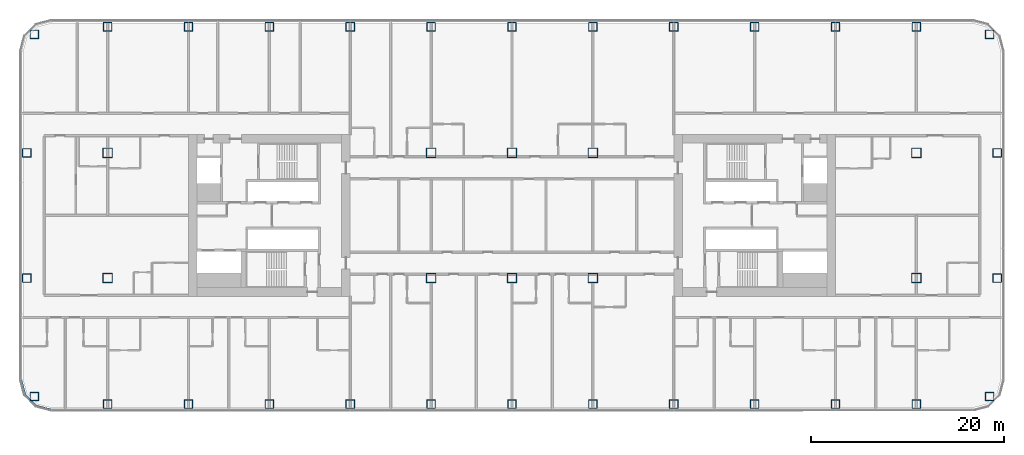
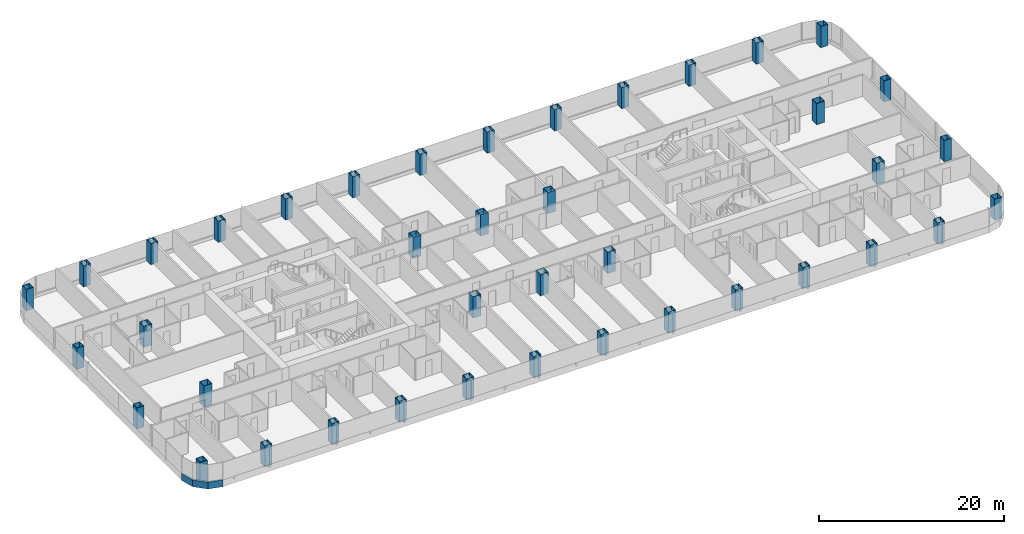
# One storey, part 1 of 29: 40 columns, 1 member, 1 element without a shape of its own.
"""IFC4 building model written with IfcOpenShell, lengths in metres."""

from ifc_helpers import new_model, si_unit, direction, frame, origin, origin_2d, place, context, subcontext, project, spatial, polyline, rectangle, hollow_rectangle, outline, extrude, material, layer, layer_set, material_profile, profile_set, type_object, element, aggregate, save


model = new_model("IFC4")

# Units and contexts
model_context = context("Model", 3, precision=1e-05, world=origin(), true_north=direction((0.0, 1.0)))
body_context = subcontext(model_context, "Body", "Model", "MODEL_VIEW")
ifc_project = project(units=[si_unit("LENGTHUNIT", "METRE"), si_unit("AREAUNIT", "SQUARE_METRE"), si_unit("VOLUMEUNIT", "CUBIC_METRE"), si_unit("PLANEANGLEUNIT", "RADIAN"), si_unit("MASSUNIT", "GRAM", prefix="KILO")], contexts=[model_context])

# Site, building, storey
site_placement = place(None, origin())
site = spatial("IfcSite", under=ifc_project, at=site_placement, CompositionType="ELEMENT")
building_placement = place(site_placement, origin())
building = spatial("IfcBuilding", under=site, at=building_placement, Name="Hakoniwa Tower and Hamabe Station Hall", CompositionType="ELEMENT")
storey_placement = place(building_placement, frame((0.0, 0.0, 45.39990234375)))
storey = spatial("IfcBuildingStorey", under=building, at=storey_placement, Name="L12", CompositionType="ELEMENT", Elevation=45.39990234375)

# Columns
ifc_material_1 = material(Name="Steel SN490C", Category="steel")
ifc_material_profile_1 = material_profile(ifc_material_1, hollow_rectangle(XDim=1.0, YDim=1.0, WallThickness=0.0400390625, at=origin_2d()), Name="BX-1000x1000x40")
ifc_profile_set_1 = profile_set([ifc_material_profile_1], Name="Steel SN490C")
column_type_1 = type_object("IfcColumnType", Name="COLUMN BX-1000x1000x40", PredefinedType="COLUMN", material=ifc_profile_set_1)
for number, where, z_axis, x_axis, name in (
    (1, (-42.0, -6.5, 0.0), (0.0, 0.0, 1.0), (1.0, 0.0, 0.0), "Column B1-2-C1"),
    (2, (-42.0, 6.5, 0.0), (0.0, 0.0, 1.0), (1.0, 0.0, 0.0), "Column B1-2-E1"),
    (3, (-8.39990234375, -6.5, 0.0), (0.0, 0.0, 1.0), (1.0, 0.0, 0.0), "Column B1-6-C1"),
    (4, (-8.39990234375, 6.5, 0.0), (0.0, 0.0, 1.0), (1.0, 0.0, 0.0), "Column B1-6-E1"),
    (5, (0.0, -6.5, 0.0), (0.0, 0.0, 1.0), (1.0, 0.0, 0.0), "Column B1-7-C1"),
    (6, (0.0, 6.5, 0.0), (0.0, 0.0, 1.0), (1.0, 0.0, 0.0), "Column B1-7-E1"),
    (7, (8.39990234375, -6.5, 0.0), (0.0, 0.0, 1.0), (1.0, 0.0, 0.0), "Column B1-8-C1"),
    (8, (8.39990234375, 6.5, 0.0), (0.0, 0.0, 1.0), (1.0, 0.0, 0.0), "Column B1-8-E1"),
    (9, (42.0, -6.5, 0.0), (0.0, 0.0, 1.0), (1.0, 0.0, 0.0), "Column B1-12-C1"),
    (10, (42.0, 6.5, 0.0), (0.0, 0.0, 1.0), (1.0, 0.0, 0.0), "Column B1-12-E1"),
):
    element("IfcColumn", number, at=place(storey_placement, frame(where, z_axis=z_axis, x_axis=x_axis)), inside=storey, type_object=column_type_1, Name=name, PredefinedType="COLUMN", context=body_context, shape_type="SweptSolid", body=[
        extrude(hollow_rectangle(XDim=1.0, YDim=1.0, WallThickness=0.0400390625, at=origin_2d()), origin(), (0.0, 0.0, 1.0), 2.800048828125),
    ])
ifc_material_2 = material(Name="Steel SN490C", Category="steel")
ifc_material_profile_2 = material_profile(ifc_material_2, hollow_rectangle(XDim=0.89990234375, YDim=0.89990234375, WallThickness=0.035888671875, at=origin_2d()), Name="BX-900x900x36")
ifc_profile_set_2 = profile_set([ifc_material_profile_2], Name="Steel SN490C")
column_type_2 = type_object("IfcColumnType", Name="COLUMN BX-900x900x36", PredefinedType="COLUMN", material=ifc_profile_set_2)
for number, where, z_axis, x_axis, name in (
    (11, (-49.60302734375, -18.802978515625, 0.0), (0.0, 0.0, 1.0), (1.0, 0.0, 0.0), "Column B1-1-A1"),
    (12, (-50.39990234375, -6.5, 0.0), (0.0, 0.0, 1.0), (1.0, 0.0, 0.0), "Column B1-1-C1"),
    (13, (-50.39990234375, 6.5, 0.0), (0.0, 0.0, 1.0), (1.0, 0.0, 0.0), "Column B1-1-E1"),
    (14, (-49.60302734375, 18.802978515625, 0.0), (0.0, 0.0, 1.0), (1.0, 0.0, 0.0), "Column B1-1-G1"),
    (15, (-42.0, -19.60009765625, 0.0), (0.0, 0.0, 1.0), (1.0, 0.0, 0.0), "Column B1-2-A1"),
    (16, (-42.0, 19.60009765625, 0.0), (0.0, 0.0, 1.0), (1.0, 0.0, 0.0), "Column B1-2-G1"),
    (17, (-33.60009765625, -19.60009765625, 0.0), (0.0, 0.0, 1.0), (1.0, 0.0, 0.0), "Column B1-3-A1"),
    (18, (-33.60009765625, 19.60009765625, 0.0), (0.0, 0.0, 1.0), (1.0, 0.0, 0.0), "Column B1-3-G1"),
    (19, (-25.199951171875, -19.60009765625, 0.0), (0.0, 0.0, 1.0), (1.0, 0.0, 0.0), "Column B1-4-A1"),
    (20, (-25.199951171875, 19.60009765625, 0.0), (0.0, 0.0, 1.0), (1.0, 0.0, 0.0), "Column B1-4-G1"),
    (21, (-16.800048828125, -19.60009765625, 0.0), (0.0, 0.0, 1.0), (1.0, 0.0, 0.0), "Column B1-5-A1"),
    (22, (-16.800048828125, 19.60009765625, 0.0), (0.0, 0.0, 1.0), (1.0, 0.0, 0.0), "Column B1-5-G1"),
    (23, (-8.39990234375, -19.60009765625, 0.0), (0.0, 0.0, 1.0), (1.0, 0.0, 0.0), "Column B1-6-A1"),
    (24, (-8.39990234375, 19.60009765625, 0.0), (0.0, 0.0, 1.0), (1.0, 0.0, 0.0), "Column B1-6-G1"),
    (25, (0.0, -19.60009765625, 0.0), (0.0, 0.0, 1.0), (1.0, 0.0, 0.0), "Column B1-7-A1"),
    (26, (0.0, 19.60009765625, 0.0), (0.0, 0.0, 1.0), (1.0, 0.0, 0.0), "Column B1-7-G1"),
    (27, (8.39990234375, -19.60009765625, 0.0), (0.0, 0.0, 1.0), (1.0, 0.0, 0.0), "Column B1-8-A1"),
    (28, (8.39990234375, 19.60009765625, 0.0), (0.0, 0.0, 1.0), (1.0, 0.0, 0.0), "Column B1-8-G1"),
    (29, (16.800048828125, -19.60009765625, 0.0), (0.0, 0.0, 1.0), (1.0, 0.0, 0.0), "Column B1-9-A1"),
    (30, (16.800048828125, 19.60009765625, 0.0), (0.0, 0.0, 1.0), (1.0, 0.0, 0.0), "Column B1-9-G1"),
    (31, (25.199951171875, -19.60009765625, 0.0), (0.0, 0.0, 1.0), (1.0, 0.0, 0.0), "Column B1-10-A1"),
    (32, (25.199951171875, 19.60009765625, 0.0), (0.0, 0.0, 1.0), (1.0, 0.0, 0.0), "Column B1-10-G1"),
    (33, (33.60009765625, -19.60009765625, 0.0), (0.0, 0.0, 1.0), (1.0, 0.0, 0.0), "Column B1-11-A1"),
    (34, (33.60009765625, 19.60009765625, 0.0), (0.0, 0.0, 1.0), (1.0, 0.0, 0.0), "Column B1-11-G1"),
    (35, (42.0, -19.60009765625, 0.0), (0.0, 0.0, 1.0), (1.0, 0.0, 0.0), "Column B1-12-A1"),
    (36, (42.0, 19.60009765625, 0.0), (0.0, 0.0, 1.0), (1.0, 0.0, 0.0), "Column B1-12-G1"),
    (37, (49.60302734375, -18.802978515625, 0.0), (0.0, 0.0, 1.0), (1.0, 0.0, 0.0), "Column B1-13-A1"),
    (38, (50.39990234375, -6.5, 0.0), (0.0, 0.0, 1.0), (1.0, 0.0, 0.0), "Column B1-13-C1"),
    (39, (50.39990234375, 6.5, 0.0), (0.0, 0.0, 1.0), (1.0, 0.0, 0.0), "Column B1-13-E1"),
    (40, (49.60302734375, 18.802978515625, 0.0), (0.0, 0.0, 1.0), (1.0, 0.0, 0.0), "Column B1-13-G1"),
):
    element("IfcColumn", number, at=place(storey_placement, frame(where, z_axis=z_axis, x_axis=x_axis)), inside=storey, type_object=column_type_2, Name=name, PredefinedType="COLUMN", context=body_context, shape_type="SweptSolid", body=[
        extrude(hollow_rectangle(XDim=0.89990234375, YDim=0.89990234375, WallThickness=0.035888671875, at=origin_2d()), origin(), (0.0, 0.0, 1.0), 2.800048828125),
    ])

# Curtain wall, member
ifc_material_3 = material(Name="Dark low-e laminated glass", Category="glass")
ifc_layer = layer(ifc_material_3, 0.199951171875)
ifc_layer_set = layer_set([ifc_layer], Name="CW-1 UNITISED GUEST")
curtain_wall_type = type_object("IfcCurtainWallType", Name="CW-1 UNITISED GUEST", PredefinedType="NOTDEFINED", material=ifc_layer_set)
curtain_wall_placement = place(storey_placement, origin())
curtain_wall = element("IfcCurtainWall", 41, at=curtain_wall_placement, inside=storey, type_object=curtain_wall_type, Name="CW-1 curtain wall", PredefinedType="NOTDEFINED")
ifc_material_4 = material(Name="Aluminium 6063-T5 black anodised", Category="aluminium")
ifc_material_profile_3 = material_profile(ifc_material_4, rectangle(XDim=0.199951171875, YDim=0.89990234375, at=origin_2d()), Name="CW SLAB-EDGE BAND 900X200")
ifc_profile_set_3 = profile_set([ifc_material_profile_3], Name="Aluminium 6063-T5 black anodised")
member_type = type_object("IfcMemberType", Name="CW SLAB-EDGE BAND 900X200", PredefinedType="USERDEFINED", material=ifc_profile_set_3)
member_placement = place(storey_placement, frame((0.0, 0.0, -0.5498046875)))
member = element("IfcMember", 42, at=member_placement, type_object=member_type, Name="CW-1 transom", ObjectType="TRANSOM", PredefinedType="USERDEFINED", context=body_context, shape_type="SweptSolid", body=[
    extrude(outline(polyline([(-51.10009765625, -17.03955078125), (-50.6669921875, -18.6552734375), (-49.455322265625, -19.866943359375), (-47.839599609375, -20.300048828125), (-47.787841796875, -20.10693359375), (-49.351806640625, -19.687744140625), (-50.48779296875, -18.5517578125), (-50.90673828125, -16.98779296875), (-51.10009765625, -17.03955078125)])), origin(), (0.0, 0.0, 1.0), 0.89990234375),
])
aggregate(curtain_wall, [member])

save(model, "model.ifc")
